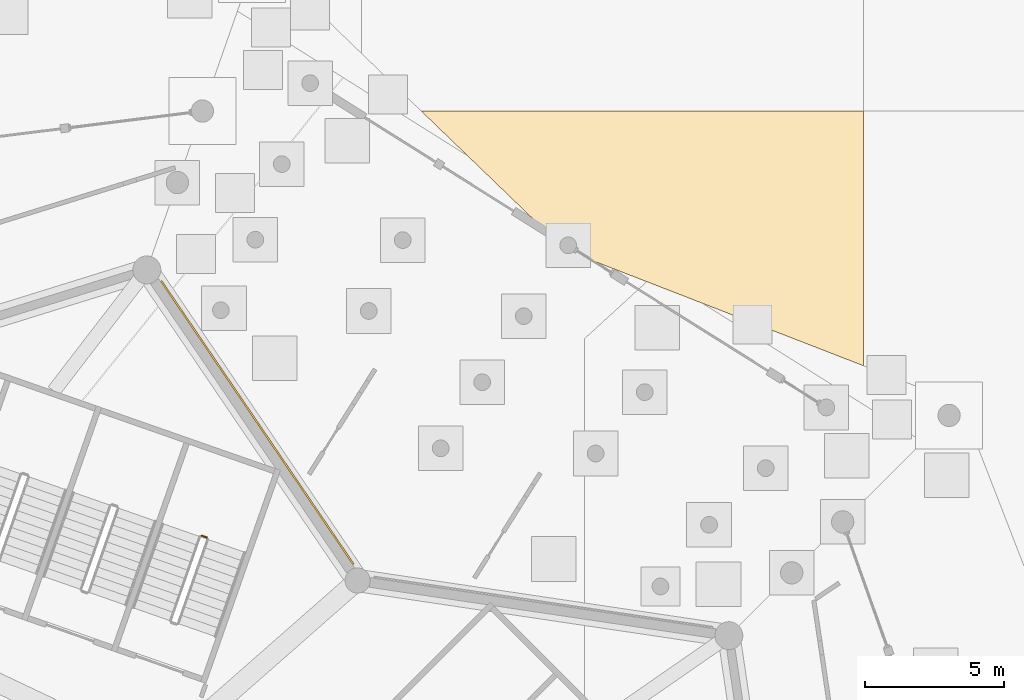
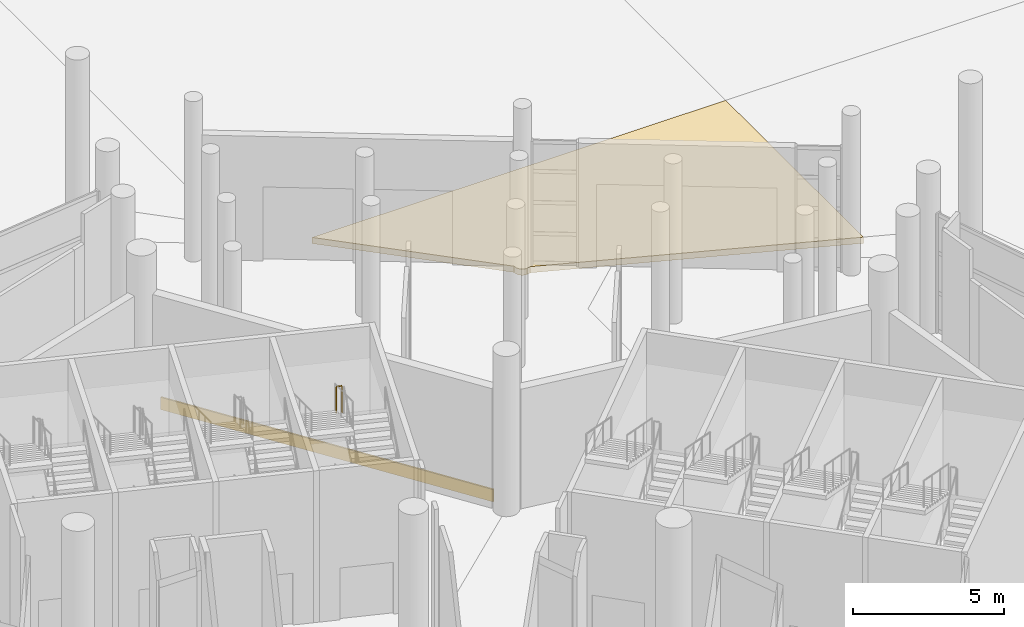
# One storey, part 254 of 255: 2 coverings, 1 railing.
"""IFC4 building model written with IfcOpenShell, lengths in metres."""

import ifcopenshell
import ifcopenshell.guid

model = None  # the IFC model being written
_history = None  # IfcOwnerHistory: only IFC2X3 demands one
_inside = {}  # id of a spatial element -> (the spatial element, [elements in it])
_under = {}  # id of a project, library or spatial element -> (it, [spatial elements below it])
_declared = {}  # id of a project -> (the project, [libraries it declares])
_typed = {}  # id of a type object -> (the type object, [elements of that type])
_made_of = {}  # id of a material, layer set ... -> (it, [elements and type objects made of it])


def new_model(schema):
    """Start an empty IFC model of exactly this schema.

    Asked for "IFC4X3", IfcOpenShell would pick the latest addendum, in which some entities
    have other attributes; the version numbers below select the first issue.
    IFC2X3 requires an IfcOwnerHistory on every rooted entity: one is made here for all.
    """
    global model, _history
    if schema == "IFC4X3":
        model = ifcopenshell.file(schema_version=(4, 3, 0, 0))
    else:
        model = ifcopenshell.file(schema=schema)
    _inside.clear()
    _under.clear()
    _declared.clear()
    _typed.clear()
    _made_of.clear()
    _history = None
    if model.schema == "IFC2X3":
        org = make("IfcOrganization", Name="unknown")
        user = make(
            "IfcPersonAndOrganization",
            ThePerson=make("IfcPerson", FamilyName="unknown"),
            TheOrganization=org,
        )
        app = make(
            "IfcApplication",
            ApplicationDeveloper=org,
            Version="unknown",
            ApplicationFullName="unknown",
            ApplicationIdentifier="unknown",
        )
        _history = make(
            "IfcOwnerHistory",
            OwningUser=user,
            OwningApplication=app,
            ChangeAction="ADDED",
            CreationDate=0,
        )
    return model


def make(cls, **values):
    """One entity of the class cls with the attributes given. An attribute that is None is left unset."""
    return model.create_entity(
        cls, **{name: value for name, value in values.items() if value is not None}
    )


def rooted(cls, **values):
    """An entity with a GlobalId (a new one), such as an element, a storey or a relation."""
    return make(cls, GlobalId=ifcopenshell.guid.new(), OwnerHistory=_history, **values)


def si_unit(unit_type, name, prefix=None):
    """IfcSIUnit, for example si_unit("LENGTHUNIT", "METRE", prefix="MILLI")."""
    return make("IfcSIUnit", UnitType=unit_type, Prefix=prefix, Name=name)


def assignment(units):
    """IfcUnitAssignment: the units of a project."""
    return None if units is None else make("IfcUnitAssignment", Units=units)


def point(xyz):
    """IfcCartesianPoint."""
    return None if xyz is None else make("IfcCartesianPoint", Coordinates=xyz)


def direction(xyz):
    """IfcDirection."""
    return None if xyz is None else make("IfcDirection", DirectionRatios=xyz)


def frame(location, z_axis=None, x_axis=None):
    """IfcAxis2Placement3D, a coordinate frame: its origin and axes. An axis left out is left unset."""
    return make(
        "IfcAxis2Placement3D",
        Location=point(location),
        Axis=direction(z_axis),
        RefDirection=direction(x_axis),
    )


def frame_2d(location, x_axis=None):
    """IfcAxis2Placement2D, a coordinate frame in the plane: its origin and x axis."""
    return make(
        "IfcAxis2Placement2D", Location=point(location), RefDirection=direction(x_axis)
    )


def origin():
    """The frame at (0, 0, 0) with its axes left unset."""
    return frame((0.0, 0.0, 0.0))


def origin_2d():
    """The frame at (0, 0) in the plane with its x axis left unset."""
    return frame_2d((0.0, 0.0))


def place(relative_to, where):
    """IfcLocalPlacement: puts the frame where relative to a parent placement (None: the world)."""
    return make(
        "IfcLocalPlacement", PlacementRelTo=relative_to, RelativePlacement=where
    )


def context(
    kind, dimensions, precision=None, world=None, true_north=None, identifier=None
):
    """IfcGeometricRepresentationContext, for example the 3D "Model" context."""
    return make(
        "IfcGeometricRepresentationContext",
        ContextIdentifier=identifier,
        ContextType=kind,
        CoordinateSpaceDimension=dimensions,
        Precision=precision,
        WorldCoordinateSystem=world,
        TrueNorth=true_north,
    )


def subcontext(parent, identifier, kind, view, scale=None):
    """IfcGeometricRepresentationSubContext, for example "Body" below "Model"."""
    return make(
        "IfcGeometricRepresentationSubContext",
        ContextIdentifier=identifier,
        ContextType=kind,
        ParentContext=parent,
        TargetScale=scale,
        TargetView=view,
    )


def project(units=None, contexts=None):
    """IfcProject with its units and contexts."""
    return rooted(
        "IfcProject",
        Name="project",
        RepresentationContexts=contexts,
        UnitsInContext=assignment(units),
    )


def spatial(cls, under=None, at=None, **own):
    """A site, building, storey or space (cls), placed at a placement, below another one or the project."""
    s = rooted(cls, ObjectPlacement=at, **own)
    if under is not None:
        _under.setdefault(under.id(), (under, []))[1].append(s)
    return s


def polyline(points):
    """IfcPolyline through the points."""
    return make("IfcPolyline", Points=[point(p) for p in points])


def profile(cls, at=None, kind="AREA", **sizes):
    """A parametric profile (cls). Its sizes go by their IFC names, for example OverallWidth=200.0."""
    return make(cls, ProfileType=kind, Position=at, **sizes)


def rectangle(**sizes):
    """IfcRectangleProfileDef."""
    return profile("IfcRectangleProfileDef", **sizes)


def circle(**sizes):
    """IfcCircleProfileDef."""
    return profile("IfcCircleProfileDef", **sizes)


def outline(outer, holes=None, kind="AREA"):
    """IfcArbitraryClosedProfileDef: a profile drawn as a closed curve; with holes, ...WithVoids."""
    if holes is None:
        return make("IfcArbitraryClosedProfileDef", ProfileType=kind, OuterCurve=outer)
    return make(
        "IfcArbitraryProfileDefWithVoids",
        ProfileType=kind,
        OuterCurve=outer,
        InnerCurves=holes,
    )


def extrude(swept, where, along, depth):
    """IfcExtrudedAreaSolid: the profile swept, set in the frame where, extruded along a direction by depth."""
    return make(
        "IfcExtrudedAreaSolid",
        SweptArea=swept,
        Position=where,
        ExtrudedDirection=direction(along),
        Depth=depth,
    )


def shape(context_of_items, identifier, shape_type, items):
    """IfcShapeRepresentation: the items that make up one representation, for example the "Body"."""
    return make(
        "IfcShapeRepresentation",
        ContextOfItems=context_of_items,
        RepresentationIdentifier=identifier,
        RepresentationType=shape_type,
        Items=items,
    )


def material(Name=None, Category=None):
    """IfcMaterial."""
    return make("IfcMaterial", Name=Name, Category=Category)


def layer(
    of_material, thickness, ventilated=None, Name=None, Category=None, Priority=None
):
    """IfcMaterialLayer: one layer of a wall or slab, of a material (None: an air gap)."""
    return make(
        "IfcMaterialLayer",
        Material=of_material,
        LayerThickness=thickness,
        IsVentilated=ventilated,
        Name=Name,
        Category=Category,
        Priority=Priority,
    )


def layer_set(layers, Name=None):
    """IfcMaterialLayerSet."""
    return make("IfcMaterialLayerSet", MaterialLayers=layers, LayerSetName=Name)


def made_of(thing, what):
    """Note that an element or type object is made of a material, layer set ...; save() writes the relation."""
    if what is not None:
        _made_of.setdefault(what.id(), (what, []))[1].append(thing)
    return thing


def type_object(cls, material=None, **own):
    """A type object (cls), such as IfcWallType, which elements share."""
    return made_of(rooted(cls, **own), material)


def element(
    cls,
    number,
    at=None,
    inside=None,
    cuts=None,
    type_object=None,
    material=None,
    context=None,
    identifier="Body",
    shape_type=None,
    held_by="IfcProductDefinitionShape",
    body=None,
    shapes=None,
    **own,
):
    """One element of the class cls, such as IfcWall. Its Tag is "e" and its number.

    at: its placement. inside: the storey or other place that contains it. cuts: it is an
    opening in that element (IfcRelVoidsElement). A single representation is given by context,
    identifier, shape_type and body (its items); several are given by shapes. held_by: the class
    of the entity that holds the representations. save() writes the other relations.
    """
    e = rooted(cls, Tag="e%d" % number, ObjectPlacement=at, **own)
    if body is not None:
        shapes = [shape(context, identifier, shape_type, body)]
    if shapes is not None:
        e.Representation = make(held_by, Representations=shapes)
    if inside is not None:
        _inside.setdefault(inside.id(), (inside, []))[1].append(e)
    if cuts is not None:
        rooted(
            "IfcRelVoidsElement", RelatingBuildingElement=cuts, RelatedOpeningElement=e
        )
    if type_object is not None:
        _typed.setdefault(type_object.id(), (type_object, []))[1].append(e)
    return made_of(e, material)


def aggregate(whole, parts):
    """IfcRelAggregates: a whole, such as a stair, and the parts it consists of."""
    return rooted("IfcRelAggregates", RelatingObject=whole, RelatedObjects=parts)


def save(model, path):
    """Write the relations noted so far, then the file.

    IfcRelAggregates (storeys below a building ...), IfcRelContainedInSpatialStructure (elements
    in a storey), IfcRelDefinesByType, IfcRelAssociatesMaterial and IfcRelDeclares: one each for
    every whole, place, type object, material and project.
    """
    for whole, parts in _under.values():
        aggregate(whole, parts)
    for where, things in _inside.values():
        rooted(
            "IfcRelContainedInSpatialStructure",
            RelatedElements=things,
            RelatingStructure=where,
        )
    for kind, things in _typed.values():
        rooted("IfcRelDefinesByType", RelatedObjects=things, RelatingType=kind)
    for what, things in _made_of.values():
        rooted("IfcRelAssociatesMaterial", RelatedObjects=things, RelatingMaterial=what)
    for by, libraries in _declared.values():
        rooted("IfcRelDeclares", RelatingContext=by, RelatedDefinitions=libraries)
    model.write(path)


model = new_model("IFC4")

# Units and contexts
model_context = context("Model", 3, precision=1e-05, world=origin(), true_north=direction((0.0, 1.0)))
body_context = subcontext(model_context, "Body", "Model", "MODEL_VIEW")
ifc_project = project(units=[si_unit("LENGTHUNIT", "METRE"), si_unit("AREAUNIT", "SQUARE_METRE"), si_unit("VOLUMEUNIT", "CUBIC_METRE"), si_unit("PLANEANGLEUNIT", "RADIAN"), si_unit("MASSUNIT", "GRAM", prefix="KILO")], contexts=[model_context])

# Site, building, storey
site_placement = place(None, origin())
site = spatial("IfcSite", under=ifc_project, at=site_placement, CompositionType="ELEMENT")
building_placement = place(site_placement, origin())
building = spatial("IfcBuilding", under=site, at=building_placement, Name="Meseta Stadium", CompositionType="ELEMENT")
storey_placement = place(building_placement, origin())
storey = spatial("IfcBuildingStorey", under=building, at=storey_placement, Name="L00", CompositionType="ELEMENT", Elevation=0.0)

# Coverings
ifc_material_1 = material(Name="Guadarrama granite cladding", Category="masonry")
ifc_layer_1 = layer(ifc_material_1, 0.06005859375)
ifc_layer_set_1 = layer_set([ifc_layer_1], Name="Granite plinth cladding 60")
covering_type_1 = type_object("IfcCoveringType", Name="Granite plinth cladding 60", PredefinedType="CLADDING", material=ifc_layer_set_1)
covering_1_placement = place(storey_placement, frame((68.2607421875, 96.8154296875, 0.0), z_axis=(0.0, 0.0, 1.0), x_axis=(0.561489943314, -0.827483560898, 0.0)))
element("IfcCovering", 1, at=covering_1_placement, inside=storey, type_object=covering_type_1, Name="Granite plinth L00 F13", PredefinedType="CLADDING", context=body_context, shape_type="SweptSolid", body=[
    extrude(rectangle(XDim=12.273193359375, YDim=0.06005859375, at=origin_2d()), origin(), (0.0, 0.0, 1.0), 0.5),
])
ifc_material_2 = material(Name="Guadarrama granite paving on bedding", Category="masonry")
ifc_layer_2 = layer(ifc_material_2, 0.25)
ifc_layer_set_2 = layer_set([ifc_layer_2], Name="Ground paving 250")
covering_type_2 = type_object("IfcCoveringType", Name="Ground paving 250", PredefinedType="FLOORING", material=ifc_layer_set_2)
covering_2_placement = place(storey_placement, frame((0.0, 0.0, -0.25)))
element("IfcCovering", 2, at=covering_2_placement, inside=storey, type_object=covering_type_2, Name="Forecourt paving 60", PredefinedType="FLOORING", context=body_context, shape_type="SweptSolid", body=[
    extrude(outline(polyline([(74.130126953125, 108.0), (79.111328125, 103.19189453125), (79.119384765625, 103.095947265625), (79.149658203125, 103.02294921875), (79.19775390625, 102.960205078125), (79.26025390625, 102.912109375), (79.333251953125, 102.882080078125), (79.41162109375, 102.87158203125), (79.5537109375, 102.908447265625), (90.0, 98.854736328125), (90.0, 108.0), (74.130126953125, 108.0)])), origin(), (0.0, 0.0, 1.0), 0.25),
])

# Railing
ifc_material_3 = material(Name="Steel S355", Category="steel")
railing_type = type_object("IfcRailingType", Name="Stair guard 1100", PredefinedType="GUARDRAIL", material=ifc_material_3)
railing_placement = place(storey_placement, frame((66.44775390625, 92.692138671875, 4.875)))
element("IfcRailing", 3, at=railing_placement, inside=storey, type_object=railing_type, Name="ST29 L00 guard 6", PredefinedType="GUARDRAIL", context=body_context, shape_type="SweptSolid", body=[
    extrude(circle(Radius=0.02392578125, at=origin_2d()), frame((0.0, 0.0, 1.076171875), z_axis=(-0.943686935281, 0.330839792317, 0.0), x_axis=(-0.330839792317, -0.943686935281, 0.0)), (0.0, 0.0, 1.0), 0.199951171875),
    extrude(circle(Radius=0.02099609375, at=origin_2d()), origin(), (0.0, 0.0, 1.0), 1.052001953125),
    extrude(circle(Radius=0.02099609375, at=origin_2d()), frame((-0.188720703125, 0.066162109375, 0.0)), (0.0, 0.0, 1.0), 1.052001953125),
])

save(model, "model.ifc")
